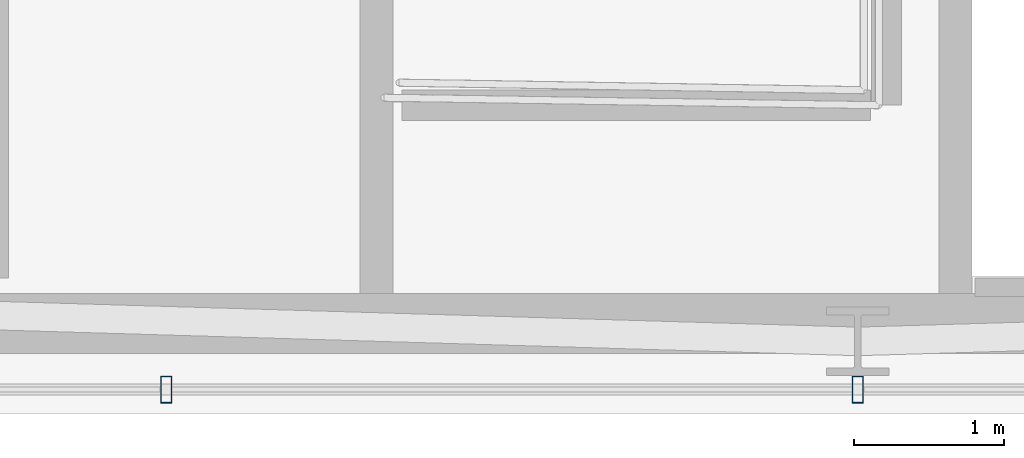
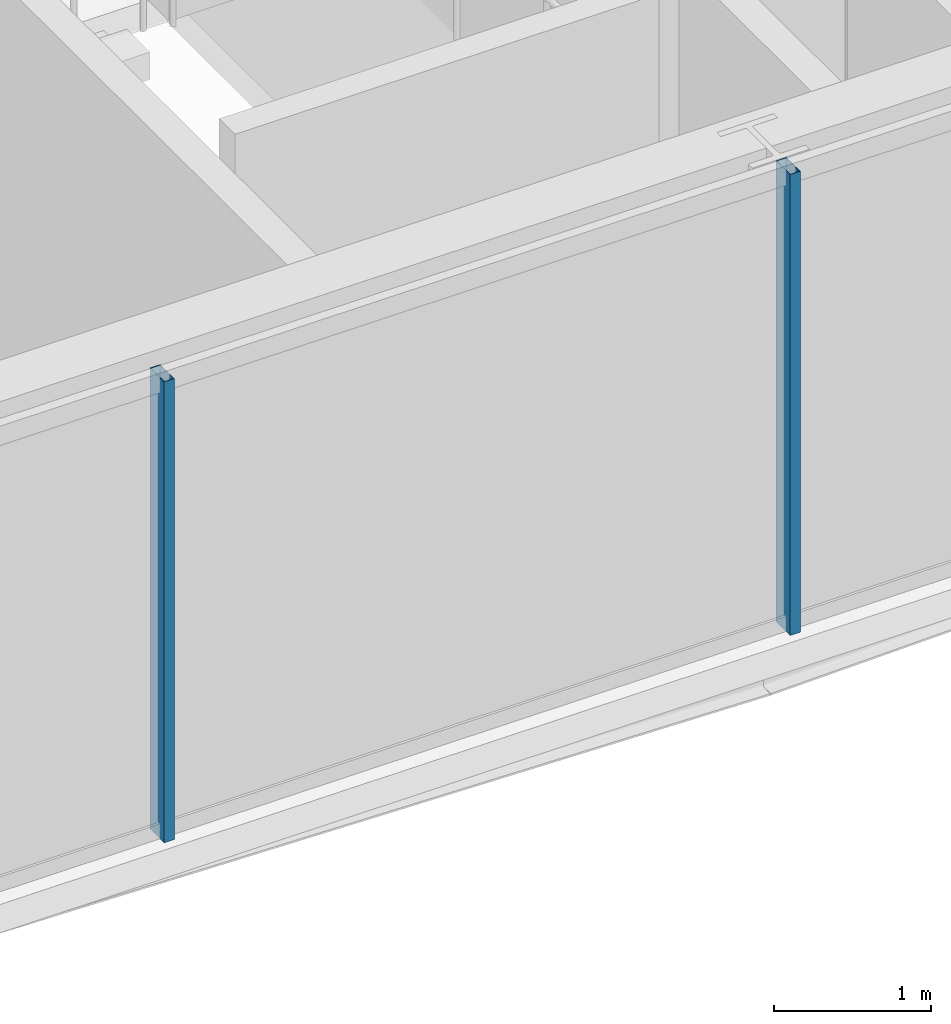
# One storey, part 7 of 33: 2 members, 1 element without a shape of its own.
"""IFC4 building model written with IfcOpenShell, lengths in metres."""

from ifc_helpers import new_model, si_unit, direction, frame, origin, origin_2d, place, context, subcontext, project, spatial, hollow_rectangle, extrude, material, layer, layer_set, material_profile, profile_set, type_object, element, aggregate, save


model = new_model("IFC4")

# Units and contexts
model_context = context("Model", 3, precision=1e-05, world=origin(), true_north=direction((0.0, 1.0)))
body_context = subcontext(model_context, "Body", "Model", "MODEL_VIEW")
ifc_project = project(units=[si_unit("LENGTHUNIT", "METRE"), si_unit("AREAUNIT", "SQUARE_METRE"), si_unit("VOLUMEUNIT", "CUBIC_METRE"), si_unit("PLANEANGLEUNIT", "RADIAN"), si_unit("MASSUNIT", "GRAM", prefix="KILO")], contexts=[model_context])

# Site, building, storey
site_placement = place(None, origin())
site = spatial("IfcSite", under=ifc_project, at=site_placement, CompositionType="ELEMENT")
building_placement = place(site_placement, origin())
building = spatial("IfcBuilding", under=site, at=building_placement, Name="Ndaravel Arena Tower", CompositionType="ELEMENT")
storey_placement = place(building_placement, frame((0.0, 0.0, 165.0)))
storey = spatial("IfcBuildingStorey", under=building, at=storey_placement, Name="L39", CompositionType="ELEMENT", Elevation=165.0)

# Curtain wall, members
ifc_material_1 = material(Name="Aluminium", Category="aluminium")
ifc_layer = layer(ifc_material_1, 0.179931640625)
ifc_layer_set = layer_set([ifc_layer], Name="Aluminium")
curtain_wall_type = type_object("IfcCurtainWallType", Name="CW-SYS-03", PredefinedType="NOTDEFINED", material=ifc_layer_set)
curtain_wall_placement = place(storey_placement, origin())
curtain_wall = element("IfcCurtainWall", 1, at=curtain_wall_placement, inside=storey, type_object=curtain_wall_type, Name="L39 Faceted Crystal Curtain Wall CW-L39-E01", PredefinedType="NOTDEFINED")
ifc_material_2 = material(Name="Aluminium", Category="aluminium")
ifc_material_profile = material_profile(ifc_material_2, hollow_rectangle(XDim=0.074951171875, YDim=0.179931640625, WallThickness=0.00390625, at=origin_2d()), Name="CW MULLION 75x180x4")
ifc_profile_set = profile_set([ifc_material_profile], Name="Aluminium")
member_type = type_object("IfcMemberType", Name="MEM-CW-MUL180", PredefinedType="MULLION", material=ifc_profile_set)
member_1_placement = place(storey_placement, frame((37.40234375, 5.159912109375, 0.0), z_axis=(0.0, 0.0, 1.0), x_axis=(1.0, 0.0, 0.0)))
member_1 = element("IfcMember", 2, at=member_1_placement, type_object=member_type, Name="CW-L39-E01 Mullion 03", PredefinedType="MULLION", context=body_context, shape_type="SweptSolid", body=[
    extrude(hollow_rectangle(XDim=0.074951171875, YDim=0.179931640625, WallThickness=0.00390625, at=origin_2d()), origin(), (0.0, 0.0, 1.0), 3.580078125),
])
member_2_placement = place(storey_placement, frame((42.0, 5.159912109375, 0.0), z_axis=(0.0, 0.0, 1.0), x_axis=(1.0, 0.0, 0.0)))
member_2 = element("IfcMember", 3, at=member_2_placement, type_object=member_type, Name="CW-L39-E01 Mullion 04", PredefinedType="MULLION", context=body_context, shape_type="SweptSolid", body=[
    extrude(hollow_rectangle(XDim=0.074951171875, YDim=0.179931640625, WallThickness=0.00390625, at=origin_2d()), origin(), (0.0, 0.0, 1.0), 3.580078125),
])
aggregate(curtain_wall, [member_1, member_2])

save(model, "model.ifc")
